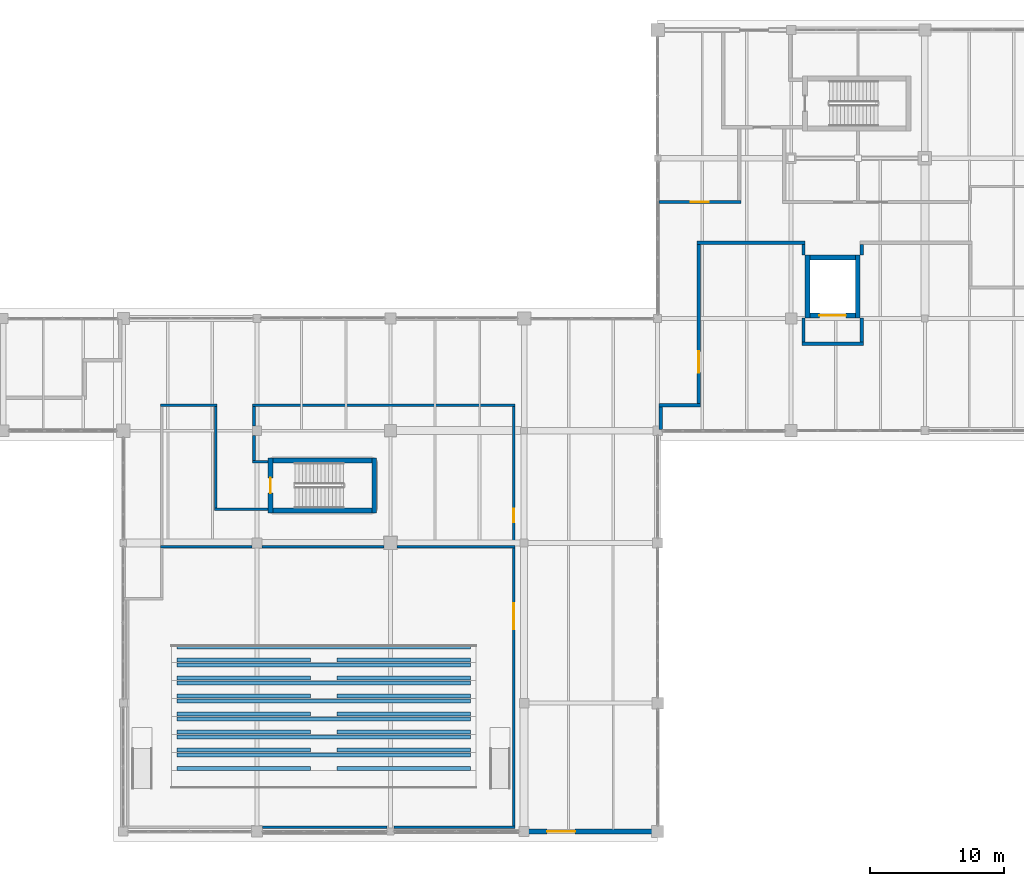
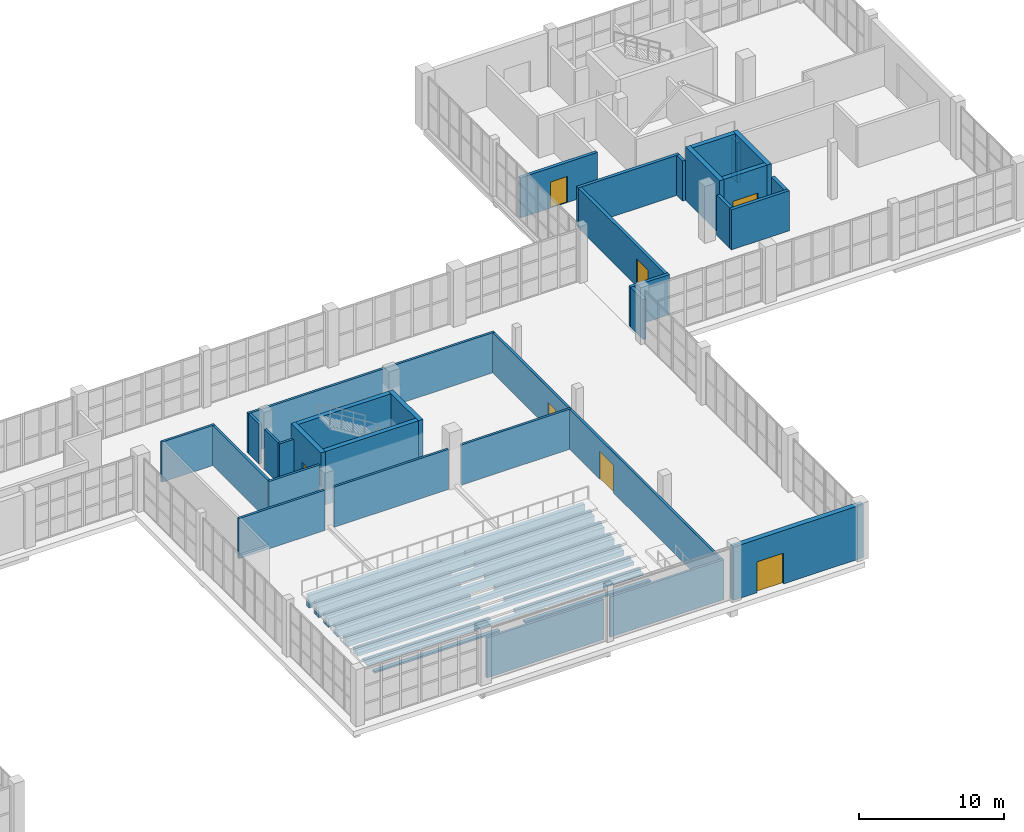
# One storey, part 104 of 121: 53 walls, 7 doors, 7 openings.
"""IFC4 building model written with IfcOpenShell, lengths in metres."""

from ifc_helpers import new_model, si_unit, direction, frame, frame_2d, origin, place, context, subcontext, project, spatial, rectangle, extrude, material, layer, layer_set, type_object, element, fill, save


model = new_model("IFC4")

# Units and contexts
model_context = context("Model", 3, precision=1e-05, world=origin(), true_north=direction((0.0, 1.0)))
body_context = subcontext(model_context, "Body", "Model", "MODEL_VIEW")
ifc_project = project(units=[si_unit("LENGTHUNIT", "METRE"), si_unit("AREAUNIT", "SQUARE_METRE"), si_unit("VOLUMEUNIT", "CUBIC_METRE"), si_unit("PLANEANGLEUNIT", "RADIAN"), si_unit("MASSUNIT", "GRAM", prefix="KILO")], contexts=[model_context])

# Site, building, storey
site_placement = place(None, origin())
site = spatial("IfcSite", under=ifc_project, at=site_placement, CompositionType="ELEMENT")
building_placement = place(site_placement, origin())
building = spatial("IfcBuilding", under=site, at=building_placement, Name="Zereglee Splitstone Museum", CompositionType="ELEMENT")
storey_placement = place(building_placement, origin())
storey = spatial("IfcBuildingStorey", under=building, at=storey_placement, Name="L00", CompositionType="ELEMENT", Elevation=0.0)

# Wall, opening, door
ifc_material_1 = material(Name="Concrete C45/55", Category="concrete")
ifc_layer_1 = layer(ifc_material_1, 0.360107421875)
ifc_layer_set_1 = layer_set([ifc_layer_1], Name="Concrete C45/55")
wall_type_1 = type_object("IfcWallType", Name="CSW-02", PredefinedType="SHEAR", material=ifc_layer_set_1)
wall_1_placement = place(storey_placement, frame((267.02001953125, 23.840087890625, 0.0), z_axis=(0.0, 0.0, 1.0), x_axis=(0.0, 1.0, 0.0)))
wall_1 = element("IfcWall", 1, at=wall_1_placement, inside=storey, type_object=wall_type_1, Name="Stair Core Shear Wall ST-05 L00 West", PredefinedType="SHEAR", context=body_context, shape_type="SweptSolid", body=[
    extrude(rectangle(XDim=4.119873046875, YDim=0.360107421875, at=frame_2d((2.06005859375, 0.0))), origin(), (0.0, 0.0, 1.0), 4.5),
])
opening_1_placement = place(wall_1_placement, frame((1.485107421875, 0.0, 0.0)))
opening_1 = element("IfcOpeningElement", 2, at=opening_1_placement, cuts=wall_1, Name="Opening ID-03", PredefinedType="OPENING", context=body_context, shape_type="SweptSolid", body=[
    extrude(rectangle(XDim=1.14990234375, YDim=2.14990234375, at=frame_2d((0.574951171875, 1.074951171875))), frame((0.0, 0.19482421875, 0.0), z_axis=(0.0, -1.0, 0.0), x_axis=(1.0, 0.0, 0.0)), (0.0, 0.0, 1.0), 0.389892578125),
])
ifc_material_2 = material(Name="Fire-rated steel and Siberian larch leaf", Category="steel")
door_type_1 = type_object("IfcDoorType", Name="ID-03", OperationType="NOTDEFINED", PredefinedType="DOOR", material=ifc_material_2)
door_1_placement = place(opening_1_placement, origin())
door_1 = element("IfcDoor", 3, at=door_1_placement, inside=storey, type_object=door_type_1, Name="Protected Stair Fire Door ST-05 L00", OperationType="SINGLE_SWING_RIGHT", OverallHeight=2.14990234375, OverallWidth=1.14990234375, PredefinedType="DOOR", context=body_context, shape_type="SweptSolid", body=[
    extrude(rectangle(XDim=1.14990234375, YDim=2.14990234375, at=frame_2d((0.574951171875, 1.074951171875))), frame((0.0, 0.02490234375, 0.0), z_axis=(0.0, -1.0, 0.0), x_axis=(1.0, 0.0, 0.0)), (0.0, 0.0, 1.0), 0.050048828125),
])
fill(opening_1, door_1)

# Walls
wall_2_placement = place(storey_placement, frame((274.780029296875, 23.840087890625, 0.0), z_axis=(0.0, 0.0, 1.0), x_axis=(0.0, 1.0, 0.0)))
element("IfcWall", 4, at=wall_2_placement, inside=storey, type_object=wall_type_1, Name="Stair Core Shear Wall ST-05 L00 East", PredefinedType="SHEAR", context=body_context, shape_type="SweptSolid", body=[
    extrude(rectangle(XDim=4.119873046875, YDim=0.360107421875, at=frame_2d((2.06005859375, 0.0))), origin(), (0.0, 0.0, 1.0), 4.5),
])
for number, where, z_axis, x_axis, name in (
    (5, (267.199951171875, 27.780029296875, 0.0), (0.0, 0.0, 1.0), (1.0, 0.0, 0.0), "Stair Core Shear Wall ST-05 L00 North"),
    (6, (267.199951171875, 24.02001953125, 0.0), (0.0, 0.0, 1.0), (1.0, 0.0, 0.0), "Stair Core Shear Wall ST-05 L00 South"),
):
    element("IfcWall", number, at=place(storey_placement, frame(where, z_axis=z_axis, x_axis=x_axis)), inside=storey, type_object=wall_type_1, Name=name, PredefinedType="SHEAR", context=body_context, shape_type="SweptSolid", body=[
        extrude(rectangle(XDim=7.400146484375, YDim=0.360107421875, at=frame_2d((3.7001953125, 0.0))), origin(), (0.0, 0.0, 1.0), 4.5),
    ])
wall_3_placement = place(storey_placement, frame((307.39990234375, 42.97998046875, 0.0), z_axis=(0.0, 0.0, 1.0), x_axis=(1.0, 0.0, 0.0)))
element("IfcWall", 7, at=wall_3_placement, inside=storey, type_object=wall_type_1, Name="Lift Shaft Wall GL-01 L00 North", PredefinedType="SHEAR", context=body_context, shape_type="SweptSolid", body=[
    extrude(rectangle(XDim=3.400146484375, YDim=0.360107421875, at=frame_2d((1.7001953125, 0.0))), origin(), (0.0, 0.0, 1.0), 4.5),
])

# Wall, opening, door
wall_4_placement = place(storey_placement, frame((307.39990234375, 38.6201171875, 0.0), z_axis=(0.0, 0.0, 1.0), x_axis=(1.0, 0.0, 0.0)))
wall_4 = element("IfcWall", 8, at=wall_4_placement, inside=storey, type_object=wall_type_1, Name="Lift Shaft Wall GL-01 L00 South", PredefinedType="SHEAR", context=body_context, shape_type="SweptSolid", body=[
    extrude(rectangle(XDim=3.400146484375, YDim=0.360107421875, at=frame_2d((1.7001953125, 0.0))), origin(), (0.0, 0.0, 1.0), 4.5),
])
opening_2_placement = place(wall_4_placement, frame((0.699951171875, 0.0, 0.0)))
opening_2 = element("IfcOpeningElement", 9, at=opening_2_placement, cuts=wall_4, Name="Opening LD-03", PredefinedType="OPENING", context=body_context, shape_type="SweptSolid", body=[
    extrude(rectangle(XDim=2.0, YDim=2.39990234375, at=frame_2d((1.0, 1.199951171875))), frame((0.0, 0.19482421875, 0.0), z_axis=(0.0, -1.0, 0.0), x_axis=(1.0, 0.0, 0.0)), (0.0, 0.0, 1.0), 0.389892578125),
])
door_type_2 = type_object("IfcDoorType", Name="LD-03", OperationType="DOUBLE_DOOR_SLIDING", PredefinedType="DOOR", material=ifc_material_2)
door_2_placement = place(opening_2_placement, origin())
door_2 = element("IfcDoor", 10, at=door_2_placement, inside=storey, type_object=door_type_2, Name="Lift Landing Sliding Door GL-01 L00", OperationType="DOUBLE_DOOR_SLIDING", OverallHeight=2.39990234375, OverallWidth=2.0, PredefinedType="DOOR", context=body_context, shape_type="SweptSolid", body=[
    extrude(rectangle(XDim=2.0, YDim=2.39990234375, at=frame_2d((1.0, 1.199951171875))), frame((0.0, 0.02490234375, 0.0), z_axis=(0.0, -1.0, 0.0), x_axis=(1.0, 0.0, 0.0)), (0.0, 0.0, 1.0), 0.050048828125),
])
fill(opening_2, door_2)

# Walls
for number, where, z_axis, x_axis, name in (
    (11, (307.219970703125, 38.43994140625, 0.0), (0.0, 0.0, 1.0), (0.0, 1.0, 0.0), "Lift Shaft Wall GL-01 L00 West"),
    (12, (310.97998046875, 38.43994140625, 0.0), (0.0, 0.0, 1.0), (0.0, 1.0, 0.0), "Lift Shaft Wall GL-01 L00 East"),
):
    element("IfcWall", number, at=place(storey_placement, frame(where, z_axis=z_axis, x_axis=x_axis)), inside=storey, type_object=wall_type_1, Name=name, PredefinedType="SHEAR", context=body_context, shape_type="SweptSolid", body=[
        extrude(rectangle(XDim=4.719970703125, YDim=0.360107421875, at=frame_2d((2.35986328125, 0.0))), origin(), (0.0, 0.0, 1.0), 4.5),
    ])

# Wall, opening, door
ifc_material_3 = material(Name="Concrete C40/50", Category="concrete")
ifc_layer_2 = layer(ifc_material_3, 0.39990234375)
ifc_layer_set_2 = layer_set([ifc_layer_2], Name="Concrete C40/50")
wall_type_2 = type_object("IfcWallType", Name="EW-02", PredefinedType="STANDARD", material=ifc_layer_set_2)
wall_5_placement = place(storey_placement, frame((285.820068359375, 0.0, 0.0), z_axis=(0.0, 0.0, 1.0), x_axis=(1.0, 0.0, 0.0)))
wall_5 = element("IfcWall", 13, at=wall_5_placement, inside=storey, type_object=wall_type_2, Name="Exterior Backup Wall RC4-EW-L00-0004", PredefinedType="STANDARD", context=body_context, shape_type="SweptSolid", body=[
    extrude(rectangle(XDim=10.35986328125, YDim=0.39990234375, at=frame_2d((5.179931640625, 0.0))), origin(), (0.0, 0.0, 1.0), 4.5),
])
opening_3_placement = place(wall_5_placement, frame((1.89990234375, 0.0, 0.0)))
opening_3 = element("IfcOpeningElement", 14, at=opening_3_placement, cuts=wall_5, Name="Opening ED-02", PredefinedType="OPENING", context=body_context, shape_type="SweptSolid", body=[
    extrude(rectangle(XDim=2.10009765625, YDim=2.60009765625, at=frame_2d((1.050048828125, 1.300048828125))), frame((0.0, 0.21484375, 0.0), z_axis=(0.0, -1.0, 0.0), x_axis=(1.0, 0.0, 0.0)), (0.0, 0.0, 1.0), 0.4296875),
])
ifc_material_4 = material(Name="Anodised bronze-clad thermally broken aluminium", Category="aluminium")
door_type_3 = type_object("IfcDoorType", Name="ED-02", OperationType="DOUBLE_DOOR_SINGLE_SWING", PredefinedType="DOOR", material=ifc_material_4)
door_3_placement = place(opening_3_placement, frame((2.10009765625, 0.0, 0.0), z_axis=(0.0, 0.0, 1.0), x_axis=(-1.0, 0.0, 0.0)))
door_3 = element("IfcDoor", 15, at=door_3_placement, inside=storey, type_object=door_type_3, Name="Ground Protected Exit Door ED-L00-04", OperationType="DOUBLE_DOOR_SINGLE_SWING", OverallHeight=2.60009765625, OverallWidth=2.10009765625, PredefinedType="DOOR", context=body_context, shape_type="SweptSolid", body=[
    extrude(rectangle(XDim=2.10009765625, YDim=2.60009765625, at=frame_2d((1.050048828125, 1.300048828125))), frame((0.0, 0.02490234375, 0.0), z_axis=(0.0, -1.0, 0.0), x_axis=(1.0, 0.0, 0.0)), (0.0, 0.0, 1.0), 0.050048828125),
])
fill(opening_3, door_3)

# Walls
ifc_layer_3 = layer(ifc_material_3, 0.25)
ifc_layer_set_3 = layer_set([ifc_layer_3], Name="Concrete C40/50")
wall_type_3 = type_object("IfcWallType", Name="IW-03", PredefinedType="PARTITIONING", material=ifc_layer_set_3)
wall_6_placement = place(storey_placement, frame((296.114990234375, 31.919921875, 0.0), z_axis=(0.0, 0.0, 1.0), x_axis=(1.0, 0.0, 0.0)))
element("IfcWall", 16, at=wall_6_placement, inside=storey, type_object=wall_type_3, Name="Interior Partition L00-0205 (Natural History Collection Archive)", PredefinedType="PARTITIONING", context=body_context, shape_type="SweptSolid", body=[
    extrude(rectangle(XDim=3.090087890625, YDim=0.25, at=frame_2d((1.544921875, 0.0))), origin(), (0.0, 0.0, 1.0), 3.3798828125),
])
wall_7_placement = place(storey_placement, frame((306.794921875, 36.52001953125, 0.0), z_axis=(0.0, 0.0, 1.0), x_axis=(1.0, 0.0, 0.0)))
element("IfcWall", 17, at=wall_7_placement, inside=storey, type_object=wall_type_3, Name="Interior Partition L00-0216 (Natural History Collection Archive)", PredefinedType="PARTITIONING", context=body_context, shape_type="SweptSolid", body=[
    extrude(rectangle(XDim=4.610107421875, YDim=0.25, at=frame_2d((2.30517578125, 0.0))), origin(), (0.0, 0.0, 1.0), 3.3798828125),
])
wall_8_placement = place(storey_placement, frame((298.955078125, 44.080078125, 0.0), z_axis=(0.0, 0.0, 1.0), x_axis=(1.0, 0.0, 0.0)))
element("IfcWall", 18, at=wall_8_placement, inside=storey, type_object=wall_type_3, Name="Interior Partition L00-0222 (Natural History Collection Archive)", PredefinedType="PARTITIONING", context=body_context, shape_type="SweptSolid", body=[
    extrude(rectangle(XDim=8.08984375, YDim=0.25, at=frame_2d((4.044921875, 0.0))), origin(), (0.0, 0.0, 1.0), 3.3798828125),
])

# Wall, opening, door
wall_9_placement = place(storey_placement, frame((296.090087890625, 47.1201171875, 0.0), z_axis=(0.0, 0.0, 1.0), x_axis=(1.0, 0.0, 0.0)))
wall_9 = element("IfcWall", 19, at=wall_9_placement, inside=storey, type_object=wall_type_3, Name="Interior Partition L00-0227 (Enclosed Heated Loading Dock)", PredefinedType="PARTITIONING", context=body_context, shape_type="SweptSolid", body=[
    extrude(rectangle(XDim=6.155029296875, YDim=0.25, at=frame_2d((3.07763671875, 0.0))), origin(), (0.0, 0.0, 1.0), 3.3798828125),
])
opening_4_placement = place(wall_9_placement, frame((2.402587890625, 0.0, 0.0)))
opening_4 = element("IfcOpeningElement", 20, at=opening_4_placement, cuts=wall_9, Name="Opening ID-08", PredefinedType="OPENING", context=body_context, shape_type="SweptSolid", body=[
    extrude(rectangle(XDim=1.35009765625, YDim=2.199951171875, at=frame_2d((0.675048828125, 1.10009765625))), frame((0.0, 0.139892578125, 0.0), z_axis=(0.0, -1.0, 0.0), x_axis=(1.0, 0.0, 0.0)), (0.0, 0.0, 1.0), 0.27978515625),
])
door_type_4 = type_object("IfcDoorType", Name="ID-08", OperationType="NOTDEFINED", PredefinedType="DOOR", material=ifc_material_2)
door_4_placement = place(opening_4_placement, origin())
door_4 = element("IfcDoor", 21, at=door_4_placement, inside=storey, type_object=door_type_4, Name="Interior Door L00-0054 (Enclosed Heated Loading Dock)", OperationType="SINGLE_SWING_LEFT", OverallHeight=2.199951171875, OverallWidth=1.35009765625, PredefinedType="DOOR", context=body_context, shape_type="SweptSolid", body=[
    extrude(rectangle(XDim=1.35009765625, YDim=2.199951171875, at=frame_2d((0.675048828125, 1.10009765625))), frame((0.0, 0.02490234375, 0.0), z_axis=(0.0, -1.0, 0.0), x_axis=(1.0, 0.0, 0.0)), (0.0, 0.0, 1.0), 0.050048828125),
])
fill(opening_4, door_4)

# Wall
wall_10_placement = place(storey_placement, frame((296.239990234375, 30.090087890625, 0.0), z_axis=(0.0, 0.0, 1.0), x_axis=(0.0, 1.0, 0.0)))
element("IfcWall", 22, at=wall_10_placement, inside=storey, type_object=wall_type_3, Name="Interior Partition L00-0311 (Natural History Collection Archive)", PredefinedType="PARTITIONING", context=body_context, shape_type="SweptSolid", body=[
    extrude(rectangle(XDim=1.704833984375, YDim=0.25, at=frame_2d((0.8525390625, 0.0))), origin(), (0.0, 0.0, 1.0), 3.3798828125),
])

# Wall, opening, door
wall_11_placement = place(storey_placement, frame((299.080078125, 32.044921875, 0.0), z_axis=(0.0, 0.0, 1.0), x_axis=(0.0, 1.0, 0.0)))
wall_11 = element("IfcWall", 23, at=wall_11_placement, inside=storey, type_object=wall_type_3, Name="Interior Partition L00-0312 (Natural History Collection Archive)", PredefinedType="PARTITIONING", context=body_context, shape_type="SweptSolid", body=[
    extrude(rectangle(XDim=11.91015625, YDim=0.25, at=frame_2d((5.955078125, 0.0))), origin(), (0.0, 0.0, 1.0), 3.3798828125),
])
opening_5_placement = place(wall_11_placement, frame((2.296630859375, 0.0, 0.0)))
opening_5 = element("IfcOpeningElement", 24, at=opening_5_placement, cuts=wall_11, Name="Opening ID-05", PredefinedType="OPENING", context=body_context, shape_type="SweptSolid", body=[
    extrude(rectangle(XDim=1.60009765625, YDim=2.300048828125, at=frame_2d((0.800048828125, 1.14990234375))), frame((0.0, 0.139892578125, 0.0), z_axis=(0.0, -1.0, 0.0), x_axis=(1.0, 0.0, 0.0)), (0.0, 0.0, 1.0), 0.27978515625),
])
door_type_5 = type_object("IfcDoorType", Name="ID-05", OperationType="NOTDEFINED", PredefinedType="DOOR", material=ifc_material_2)
door_5_placement = place(opening_5_placement, frame((1.60009765625, 0.0, 0.0), z_axis=(0.0, 0.0, 1.0), x_axis=(-1.0, 0.0, 0.0)))
door_5 = element("IfcDoor", 25, at=door_5_placement, inside=storey, type_object=door_type_5, Name="Interior Door L00-0053 (Natural History Collection Archive)", OperationType="DOUBLE_DOOR_SINGLE_SWING", OverallHeight=2.300048828125, OverallWidth=1.60009765625, PredefinedType="DOOR", context=body_context, shape_type="SweptSolid", body=[
    extrude(rectangle(XDim=1.60009765625, YDim=2.300048828125, at=frame_2d((0.800048828125, 1.14990234375))), frame((0.0, 0.02490234375, 0.0), z_axis=(0.0, -1.0, 0.0), x_axis=(1.0, 0.0, 0.0)), (0.0, 0.0, 1.0), 0.050048828125),
])
fill(opening_5, door_5)

# Walls
wall_12_placement = place(storey_placement, frame((306.919921875, 36.64501953125, 0.0), z_axis=(0.0, 0.0, 1.0), x_axis=(0.0, 1.0, 0.0)))
element("IfcWall", 26, at=wall_12_placement, inside=storey, type_object=wall_type_3, Name="Interior Partition L00-0317 (Natural History Collection Archive)", PredefinedType="PARTITIONING", context=body_context, shape_type="SweptSolid", body=[
    extrude(rectangle(XDim=1.794921875, YDim=0.25, at=frame_2d((0.8974609375, 0.0))), origin(), (0.0, 0.0, 1.0), 3.3798828125),
])
wall_13_placement = place(storey_placement, frame((306.919921875, 43.159912109375, 0.0), z_axis=(0.0, 0.0, 1.0), x_axis=(0.0, 1.0, 0.0)))
element("IfcWall", 27, at=wall_13_placement, inside=storey, type_object=wall_type_3, Name="Interior Partition L00-0318 (Natural History Collection Archive)", PredefinedType="PARTITIONING", context=body_context, shape_type="SweptSolid", body=[
    extrude(rectangle(XDim=0.795166015625, YDim=0.25, at=frame_2d((0.3974609375, 0.0))), origin(), (0.0, 0.0, 1.0), 3.3798828125),
])
wall_14_placement = place(storey_placement, frame((311.280029296875, 36.64501953125, 0.0), z_axis=(0.0, 0.0, 1.0), x_axis=(0.0, 1.0, 0.0)))
element("IfcWall", 28, at=wall_14_placement, inside=storey, type_object=wall_type_3, Name="Interior Partition L00-0321 (Natural History Collection Archive)", PredefinedType="PARTITIONING", context=body_context, shape_type="SweptSolid", body=[
    extrude(rectangle(XDim=1.794921875, YDim=0.25, at=frame_2d((0.8974609375, 0.0))), origin(), (0.0, 0.0, 1.0), 3.3798828125),
])
wall_15_placement = place(storey_placement, frame((311.280029296875, 43.159912109375, 0.0), z_axis=(0.0, 0.0, 1.0), x_axis=(0.0, 1.0, 0.0)))
element("IfcWall", 29, at=wall_15_placement, inside=storey, type_object=wall_type_3, Name="Interior Partition L00-0322 (Natural History Collection Archive)", PredefinedType="PARTITIONING", context=body_context, shape_type="SweptSolid", body=[
    extrude(rectangle(XDim=0.795166015625, YDim=0.25, at=frame_2d((0.3974609375, 0.0))), origin(), (0.0, 0.0, 1.0), 3.3798828125),
])
ifc_material_5 = material(Name="Gypsum board on acoustic steel stud", Category="steel")
ifc_layer_4 = layer(ifc_material_5, 0.18994140625)
ifc_layer_set_4 = layer_set([ifc_layer_4], Name="Gypsum board on acoustic steel stud")
wall_type_4 = type_object("IfcWallType", Name="IW-02", PredefinedType="PARTITIONING", material=ifc_layer_set_4)
wall_16_placement = place(storey_placement, frame((266.425048828125, 0.320068359375, 0.0), z_axis=(0.0, 0.0, 1.0), x_axis=(1.0, 0.0, 0.0)))
element("IfcWall", 30, at=wall_16_placement, inside=storey, type_object=wall_type_4, Name="Interior Partition L00-0155 (Civic Lecture Auditorium)", PredefinedType="PARTITIONING", context=body_context, shape_type="SweptSolid", body=[
    extrude(rectangle(XDim=9.324951171875, YDim=0.18994140625, at=frame_2d((4.66259765625, 0.0))), origin(), (0.0, 0.0, 1.0), 3.3798828125),
])
wall_17_placement = place(storey_placement, frame((276.25, 0.320068359375, 0.0), z_axis=(0.0, 0.0, 1.0), x_axis=(1.0, 0.0, 0.0)))
element("IfcWall", 31, at=wall_17_placement, inside=storey, type_object=wall_type_4, Name="Interior Partition L00-0156 (Civic Lecture Auditorium)", PredefinedType="PARTITIONING", context=body_context, shape_type="SweptSolid", body=[
    extrude(rectangle(XDim=9.06494140625, YDim=0.18994140625, at=frame_2d((4.532470703125, 0.0))), origin(), (0.0, 0.0, 1.0), 3.3798828125),
])
wall_18_placement = place(storey_placement, frame((258.784912109375, 21.300048828125, 0.0), z_axis=(0.0, 0.0, 1.0), x_axis=(1.0, 0.0, 0.0)))
element("IfcWall", 32, at=wall_18_placement, inside=storey, type_object=wall_type_4, Name="Interior Partition L00-0187 (Auditorium Entrance Foyer)", PredefinedType="PARTITIONING", context=body_context, shape_type="SweptSolid", body=[
    extrude(rectangle(XDim=6.840087890625, YDim=0.18994140625, at=frame_2d((3.419921875, 0.0))), origin(), (0.0, 0.0, 1.0), 3.3798828125),
])
wall_19_placement = place(storey_placement, frame((266.375, 21.300048828125, 0.0), z_axis=(0.0, 0.0, 1.0), x_axis=(1.0, 0.0, 0.0)))
element("IfcWall", 33, at=wall_19_placement, inside=storey, type_object=wall_type_4, Name="Interior Partition L00-0188 (Auditorium Entrance Foyer)", PredefinedType="PARTITIONING", context=body_context, shape_type="SweptSolid", body=[
    extrude(rectangle(XDim=9.125, YDim=0.18994140625, at=frame_2d((4.5625, 0.0))), origin(), (0.0, 0.0, 1.0), 3.3798828125),
])
wall_20_placement = place(storey_placement, frame((276.5, 21.300048828125, 0.0), z_axis=(0.0, 0.0, 1.0), x_axis=(1.0, 0.0, 0.0)))
element("IfcWall", 34, at=wall_20_placement, inside=storey, type_object=wall_type_4, Name="Interior Partition L00-0189 (Auditorium Entrance Foyer)", PredefinedType="PARTITIONING", context=body_context, shape_type="SweptSolid", body=[
    extrude(rectangle(XDim=8.81494140625, YDim=0.18994140625, at=frame_2d((4.407470703125, 0.0))), origin(), (0.0, 0.0, 1.0), 3.3798828125),
])
wall_21_placement = place(storey_placement, frame((262.824951171875, 24.1201171875, 0.0), z_axis=(0.0, 0.0, 1.0), x_axis=(1.0, 0.0, 0.0)))
element("IfcWall", 35, at=wall_21_placement, inside=storey, type_object=wall_type_4, Name="Interior Partition L00-0199 (Auditorium Entrance Foyer)", PredefinedType="PARTITIONING", context=body_context, shape_type="SweptSolid", body=[
    extrude(rectangle(XDim=4.01513671875, YDim=0.18994140625, at=frame_2d((2.007568359375, 0.0))), origin(), (0.0, 0.0, 1.0), 3.3798828125),
])
wall_22_placement = place(storey_placement, frame((265.68505859375, 27.679931640625, 0.0), z_axis=(0.0, 0.0, 1.0), x_axis=(1.0, 0.0, 0.0)))
element("IfcWall", 36, at=wall_22_placement, inside=storey, type_object=wall_type_4, Name="Interior Partition L00-0201 (Auditorium Entrance Foyer)", PredefinedType="PARTITIONING", context=body_context, shape_type="SweptSolid", body=[
    extrude(rectangle(XDim=1.155029296875, YDim=0.18994140625, at=frame_2d((0.57763671875, 0.0))), origin(), (0.0, 0.0, 1.0), 3.3798828125),
])
wall_23_placement = place(storey_placement, frame((258.784912109375, 31.919921875, 0.0), z_axis=(0.0, 0.0, 1.0), x_axis=(1.0, 0.0, 0.0)))
element("IfcWall", 37, at=wall_23_placement, inside=storey, type_object=wall_type_4, Name="Interior Partition L00-0203 (Auditorium Entrance Foyer)", PredefinedType="PARTITIONING", context=body_context, shape_type="SweptSolid", body=[
    extrude(rectangle(XDim=4.22998046875, YDim=0.18994140625, at=frame_2d((2.114990234375, 0.0))), origin(), (0.0, 0.0, 1.0), 3.3798828125),
])
wall_24_placement = place(storey_placement, frame((265.68505859375, 31.919921875, 0.0), z_axis=(0.0, 0.0, 1.0), x_axis=(1.0, 0.0, 0.0)))
element("IfcWall", 38, at=wall_24_placement, inside=storey, type_object=wall_type_4, Name="Interior Partition L00-0204 (Auditorium Entrance Foyer)", PredefinedType="PARTITIONING", context=body_context, shape_type="SweptSolid", body=[
    extrude(rectangle(XDim=19.6298828125, YDim=0.18994140625, at=frame_2d((9.81494140625, 0.0))), origin(), (0.0, 0.0, 1.0), 3.3798828125),
])
wall_25_placement = place(storey_placement, frame((262.919921875, 24.215087890625, 0.0), z_axis=(0.0, 0.0, 1.0), x_axis=(0.0, 1.0, 0.0)))
element("IfcWall", 39, at=wall_25_placement, inside=storey, type_object=wall_type_4, Name="Interior Partition L00-0307 (Auditorium Entrance Foyer)", PredefinedType="PARTITIONING", context=body_context, shape_type="SweptSolid", body=[
    extrude(rectangle(XDim=7.60986328125, YDim=0.18994140625, at=frame_2d((3.804931640625, 0.0))), origin(), (0.0, 0.0, 1.0), 3.3798828125),
])
wall_26_placement = place(storey_placement, frame((265.780029296875, 27.77490234375, 0.0), z_axis=(0.0, 0.0, 1.0), x_axis=(0.0, 1.0, 0.0)))
element("IfcWall", 40, at=wall_26_placement, inside=storey, type_object=wall_type_4, Name="Interior Partition L00-0308 (Auditorium Entrance Foyer)", PredefinedType="PARTITIONING", context=body_context, shape_type="SweptSolid", body=[
    extrude(rectangle(XDim=1.875, YDim=0.18994140625, at=frame_2d((0.9375, 0.0))), origin(), (0.0, 0.0, 1.0), 3.3798828125),
])
wall_27_placement = place(storey_placement, frame((265.780029296875, 30.35009765625, 0.0), z_axis=(0.0, 0.0, 1.0), x_axis=(0.0, 1.0, 0.0)))
element("IfcWall", 41, at=wall_27_placement, inside=storey, type_object=wall_type_4, Name="Interior Partition L00-0309 (Auditorium Entrance Foyer)", PredefinedType="PARTITIONING", context=body_context, shape_type="SweptSolid", body=[
    extrude(rectangle(XDim=1.474853515625, YDim=0.18994140625, at=frame_2d((0.7373046875, 0.0))), origin(), (0.0, 0.0, 1.0), 3.3798828125),
])

# Wall, openings, doors
wall_28_placement = place(storey_placement, frame((285.219970703125, 0.4150390625, 0.0), z_axis=(0.0, 0.0, 1.0), x_axis=(0.0, 1.0, 0.0)))
wall_28 = element("IfcWall", 42, at=wall_28_placement, inside=storey, type_object=wall_type_4, Name="Interior Partition L00-0310 (Auditorium Entrance Foyer)", PredefinedType="PARTITIONING", context=body_context, shape_type="SweptSolid", body=[
    extrude(rectangle(XDim=31.409912109375, YDim=0.18994140625, at=frame_2d((15.705078125, 0.0))), origin(), (0.0, 0.0, 1.0), 3.3798828125),
])
opening_6_placement = place(wall_28_placement, frame((22.743408203125, 0.0, 0.0)))
opening_6 = element("IfcOpeningElement", 43, at=opening_6_placement, cuts=wall_28, Name="Opening ID-10", PredefinedType="OPENING", context=body_context, shape_type="SweptSolid", body=[
    extrude(rectangle(XDim=1.0, YDim=2.14990234375, at=frame_2d((0.5, 1.074951171875))), frame((0.0, 0.10986328125, 0.0), z_axis=(0.0, -1.0, 0.0), x_axis=(1.0, 0.0, 0.0)), (0.0, 0.0, 1.0), 0.2197265625),
])
opening_7_placement = place(wall_28_placement, frame((14.72998046875, 0.0, 0.0)))
opening_7 = element("IfcOpeningElement", 44, at=opening_7_placement, cuts=wall_28, Name="Opening ID-06", PredefinedType="OPENING", context=body_context, shape_type="SweptSolid", body=[
    extrude(rectangle(XDim=1.949951171875, YDim=2.35009765625, at=frame_2d((0.97509765625, 1.175048828125))), frame((0.0, 0.10986328125, 0.0), z_axis=(0.0, -1.0, 0.0), x_axis=(1.0, 0.0, 0.0)), (0.0, 0.0, 1.0), 0.2197265625),
])
door_type_6 = type_object("IfcDoorType", Name="ID-06", OperationType="NOTDEFINED", PredefinedType="DOOR", material=ifc_material_2)
door_6_placement = place(opening_7_placement, frame((1.949951171875, 0.0, 0.0), z_axis=(0.0, 0.0, 1.0), x_axis=(-1.0, 0.0, 0.0)))
door_6 = element("IfcDoor", 45, at=door_6_placement, inside=storey, type_object=door_type_6, Name="Interior Door L00-0052 (Civic Lecture Auditorium)", OperationType="DOUBLE_DOOR_SINGLE_SWING", OverallHeight=2.35009765625, OverallWidth=1.949951171875, PredefinedType="DOOR", context=body_context, shape_type="SweptSolid", body=[
    extrude(rectangle(XDim=1.949951171875, YDim=2.35009765625, at=frame_2d((0.97509765625, 1.175048828125))), frame((0.0, 0.02490234375, 0.0), z_axis=(0.0, -1.0, 0.0), x_axis=(1.0, 0.0, 0.0)), (0.0, 0.0, 1.0), 0.050048828125),
])
fill(opening_7, door_6)
ifc_material_6 = material(Name="Siberian larch acoustic timber leaf in bronze-steel frame", Category="steel")
door_type_7 = type_object("IfcDoorType", Name="ID-10", OperationType="NOTDEFINED", PredefinedType="DOOR", material=ifc_material_6)
door_7_placement = place(opening_6_placement, origin())
door_7 = element("IfcDoor", 46, at=door_7_placement, inside=storey, type_object=door_type_7, Name="Interior Door L00-0051 (Auditorium Entrance Foyer)", OperationType="SINGLE_SWING_RIGHT", OverallHeight=2.14990234375, OverallWidth=1.0, PredefinedType="DOOR", context=body_context, shape_type="SweptSolid", body=[
    extrude(rectangle(XDim=1.0, YDim=2.14990234375, at=frame_2d((0.5, 1.074951171875))), frame((0.0, 0.02490234375, 0.0), z_axis=(0.0, -1.0, 0.0), x_axis=(1.0, 0.0, 0.0)), (0.0, 0.0, 1.0), 0.050048828125),
])
fill(opening_6, door_7)

# Walls
ifc_layer_5 = layer(ifc_material_3, 0.300048828125)
ifc_layer_set_5 = layer_set([ifc_layer_5], Name="Concrete C40/50")
wall_type_5 = type_object("IfcWallType", Name="PSW-01", PredefinedType="SHEAR", material=ifc_layer_set_5)
for number, where, z_axis, x_axis, name in (
    (47, (260.0, 4.72998046875, 0.0), (0.0, 0.0, 1.0), (1.0, 0.0, 0.0), "Auditorium Tier Support Plinth Wall 2 Front West"),
    (48, (272.0, 4.72998046875, 0.0), (0.0, 0.0, 1.0), (1.0, 0.0, 0.0), "Auditorium Tier Support Plinth Wall 2 Front East"),
):
    element("IfcWall", number, at=place(storey_placement, frame(where, z_axis=z_axis, x_axis=x_axis)), inside=storey, type_object=wall_type_5, Name=name, PredefinedType="SHEAR", context=body_context, shape_type="SweptSolid", body=[
        extrude(rectangle(XDim=10.0, YDim=0.300048828125, at=frame_2d((5.0, 0.0))), origin(), (0.0, 0.0, 1.0), 0.14990234375),
    ])
wall_29_placement = place(storey_placement, frame((260.0, 5.719970703125, 0.0), z_axis=(0.0, 0.0, 1.0), x_axis=(1.0, 0.0, 0.0)))
element("IfcWall", 49, at=wall_29_placement, inside=storey, type_object=wall_type_5, Name="Auditorium Tier Support Plinth Wall 2 Rear", PredefinedType="SHEAR", context=body_context, shape_type="SweptSolid", body=[
    extrude(rectangle(XDim=22.0, YDim=0.300048828125, at=frame_2d((11.0, 0.0))), origin(), (0.0, 0.0, 1.0), 0.14990234375),
])
for number, where, z_axis, x_axis, name in (
    (50, (260.0, 6.080078125, 0.0), (0.0, 0.0, 1.0), (1.0, 0.0, 0.0), "Auditorium Tier Support Plinth Wall 3 Front West"),
    (51, (272.0, 6.080078125, 0.0), (0.0, 0.0, 1.0), (1.0, 0.0, 0.0), "Auditorium Tier Support Plinth Wall 3 Front East"),
):
    element("IfcWall", number, at=place(storey_placement, frame(where, z_axis=z_axis, x_axis=x_axis)), inside=storey, type_object=wall_type_5, Name=name, PredefinedType="SHEAR", context=body_context, shape_type="SweptSolid", body=[
        extrude(rectangle(XDim=10.0, YDim=0.300048828125, at=frame_2d((5.0, 0.0))), origin(), (0.0, 0.0, 1.0), 0.300048828125),
    ])
wall_30_placement = place(storey_placement, frame((260.0, 7.070068359375, 0.0), z_axis=(0.0, 0.0, 1.0), x_axis=(1.0, 0.0, 0.0)))
element("IfcWall", 52, at=wall_30_placement, inside=storey, type_object=wall_type_5, Name="Auditorium Tier Support Plinth Wall 3 Rear", PredefinedType="SHEAR", context=body_context, shape_type="SweptSolid", body=[
    extrude(rectangle(XDim=22.0, YDim=0.300048828125, at=frame_2d((11.0, 0.0))), origin(), (0.0, 0.0, 1.0), 0.300048828125),
])
for number, where, z_axis, x_axis, name in (
    (53, (260.0, 7.429931640625, 0.0), (0.0, 0.0, 1.0), (1.0, 0.0, 0.0), "Auditorium Tier Support Plinth Wall 4 Front West"),
    (54, (272.0, 7.429931640625, 0.0), (0.0, 0.0, 1.0), (1.0, 0.0, 0.0), "Auditorium Tier Support Plinth Wall 4 Front East"),
):
    element("IfcWall", number, at=place(storey_placement, frame(where, z_axis=z_axis, x_axis=x_axis)), inside=storey, type_object=wall_type_5, Name=name, PredefinedType="SHEAR", context=body_context, shape_type="SweptSolid", body=[
        extrude(rectangle(XDim=10.0, YDim=0.300048828125, at=frame_2d((5.0, 0.0))), origin(), (0.0, 0.0, 1.0), 0.449951171875),
    ])
wall_31_placement = place(storey_placement, frame((260.0, 8.419921875, 0.0), z_axis=(0.0, 0.0, 1.0), x_axis=(1.0, 0.0, 0.0)))
element("IfcWall", 55, at=wall_31_placement, inside=storey, type_object=wall_type_5, Name="Auditorium Tier Support Plinth Wall 4 Rear", PredefinedType="SHEAR", context=body_context, shape_type="SweptSolid", body=[
    extrude(rectangle(XDim=22.0, YDim=0.300048828125, at=frame_2d((11.0, 0.0))), origin(), (0.0, 0.0, 1.0), 0.449951171875),
])
for number, where, z_axis, x_axis, name in (
    (56, (260.0, 8.780029296875, 0.0), (0.0, 0.0, 1.0), (1.0, 0.0, 0.0), "Auditorium Tier Support Plinth Wall 5 Front West"),
    (57, (272.0, 8.780029296875, 0.0), (0.0, 0.0, 1.0), (1.0, 0.0, 0.0), "Auditorium Tier Support Plinth Wall 5 Front East"),
):
    element("IfcWall", number, at=place(storey_placement, frame(where, z_axis=z_axis, x_axis=x_axis)), inside=storey, type_object=wall_type_5, Name=name, PredefinedType="SHEAR", context=body_context, shape_type="SweptSolid", body=[
        extrude(rectangle(XDim=10.0, YDim=0.300048828125, at=frame_2d((5.0, 0.0))), origin(), (0.0, 0.0, 1.0), 0.60009765625),
    ])
wall_32_placement = place(storey_placement, frame((260.0, 9.77001953125, 0.0), z_axis=(0.0, 0.0, 1.0), x_axis=(1.0, 0.0, 0.0)))
element("IfcWall", 58, at=wall_32_placement, inside=storey, type_object=wall_type_5, Name="Auditorium Tier Support Plinth Wall 5 Rear", PredefinedType="SHEAR", context=body_context, shape_type="SweptSolid", body=[
    extrude(rectangle(XDim=22.0, YDim=0.300048828125, at=frame_2d((11.0, 0.0))), origin(), (0.0, 0.0, 1.0), 0.60009765625),
])
for number, where, z_axis, x_axis, name in (
    (59, (260.0, 10.1298828125, 0.0), (0.0, 0.0, 1.0), (1.0, 0.0, 0.0), "Auditorium Tier Support Plinth Wall 6 Front West"),
    (60, (272.0, 10.1298828125, 0.0), (0.0, 0.0, 1.0), (1.0, 0.0, 0.0), "Auditorium Tier Support Plinth Wall 6 Front East"),
):
    element("IfcWall", number, at=place(storey_placement, frame(where, z_axis=z_axis, x_axis=x_axis)), inside=storey, type_object=wall_type_5, Name=name, PredefinedType="SHEAR", context=body_context, shape_type="SweptSolid", body=[
        extrude(rectangle(XDim=10.0, YDim=0.300048828125, at=frame_2d((5.0, 0.0))), origin(), (0.0, 0.0, 1.0), 0.75),
    ])
wall_33_placement = place(storey_placement, frame((260.0, 11.1201171875, 0.0), z_axis=(0.0, 0.0, 1.0), x_axis=(1.0, 0.0, 0.0)))
element("IfcWall", 61, at=wall_33_placement, inside=storey, type_object=wall_type_5, Name="Auditorium Tier Support Plinth Wall 6 Rear", PredefinedType="SHEAR", context=body_context, shape_type="SweptSolid", body=[
    extrude(rectangle(XDim=22.0, YDim=0.300048828125, at=frame_2d((11.0, 0.0))), origin(), (0.0, 0.0, 1.0), 0.75),
])
for number, where, z_axis, x_axis, name in (
    (62, (260.0, 11.47998046875, 0.0), (0.0, 0.0, 1.0), (1.0, 0.0, 0.0), "Auditorium Tier Support Plinth Wall 7 Front West"),
    (63, (272.0, 11.47998046875, 0.0), (0.0, 0.0, 1.0), (1.0, 0.0, 0.0), "Auditorium Tier Support Plinth Wall 7 Front East"),
):
    element("IfcWall", number, at=place(storey_placement, frame(where, z_axis=z_axis, x_axis=x_axis)), inside=storey, type_object=wall_type_5, Name=name, PredefinedType="SHEAR", context=body_context, shape_type="SweptSolid", body=[
        extrude(rectangle(XDim=10.0, YDim=0.300048828125, at=frame_2d((5.0, 0.0))), origin(), (0.0, 0.0, 1.0), 0.89990234375),
    ])
wall_34_placement = place(storey_placement, frame((260.0, 12.469970703125, 0.0), z_axis=(0.0, 0.0, 1.0), x_axis=(1.0, 0.0, 0.0)))
element("IfcWall", 64, at=wall_34_placement, inside=storey, type_object=wall_type_5, Name="Auditorium Tier Support Plinth Wall 7 Rear", PredefinedType="SHEAR", context=body_context, shape_type="SweptSolid", body=[
    extrude(rectangle(XDim=22.0, YDim=0.300048828125, at=frame_2d((11.0, 0.0))), origin(), (0.0, 0.0, 1.0), 0.89990234375),
])
for number, where, z_axis, x_axis, name in (
    (65, (260.0, 12.830078125, 0.0), (0.0, 0.0, 1.0), (1.0, 0.0, 0.0), "Auditorium Tier Support Plinth Wall 8 Front West"),
    (66, (272.0, 12.830078125, 0.0), (0.0, 0.0, 1.0), (1.0, 0.0, 0.0), "Auditorium Tier Support Plinth Wall 8 Front East"),
):
    element("IfcWall", number, at=place(storey_placement, frame(where, z_axis=z_axis, x_axis=x_axis)), inside=storey, type_object=wall_type_5, Name=name, PredefinedType="SHEAR", context=body_context, shape_type="SweptSolid", body=[
        extrude(rectangle(XDim=10.0, YDim=0.300048828125, at=frame_2d((5.0, 0.0))), origin(), (0.0, 0.0, 1.0), 1.050048828125),
    ])
wall_35_placement = place(storey_placement, frame((260.0, 13.820068359375, 0.0), z_axis=(0.0, 0.0, 1.0), x_axis=(1.0, 0.0, 0.0)))
element("IfcWall", 67, at=wall_35_placement, inside=storey, type_object=wall_type_5, Name="Auditorium Tier Support Plinth Wall 8 Rear", PredefinedType="SHEAR", context=body_context, shape_type="SweptSolid", body=[
    extrude(rectangle(XDim=22.0, YDim=0.300048828125, at=frame_2d((11.0, 0.0))), origin(), (0.0, 0.0, 1.0), 1.050048828125),
])

save(model, "model.ifc")
